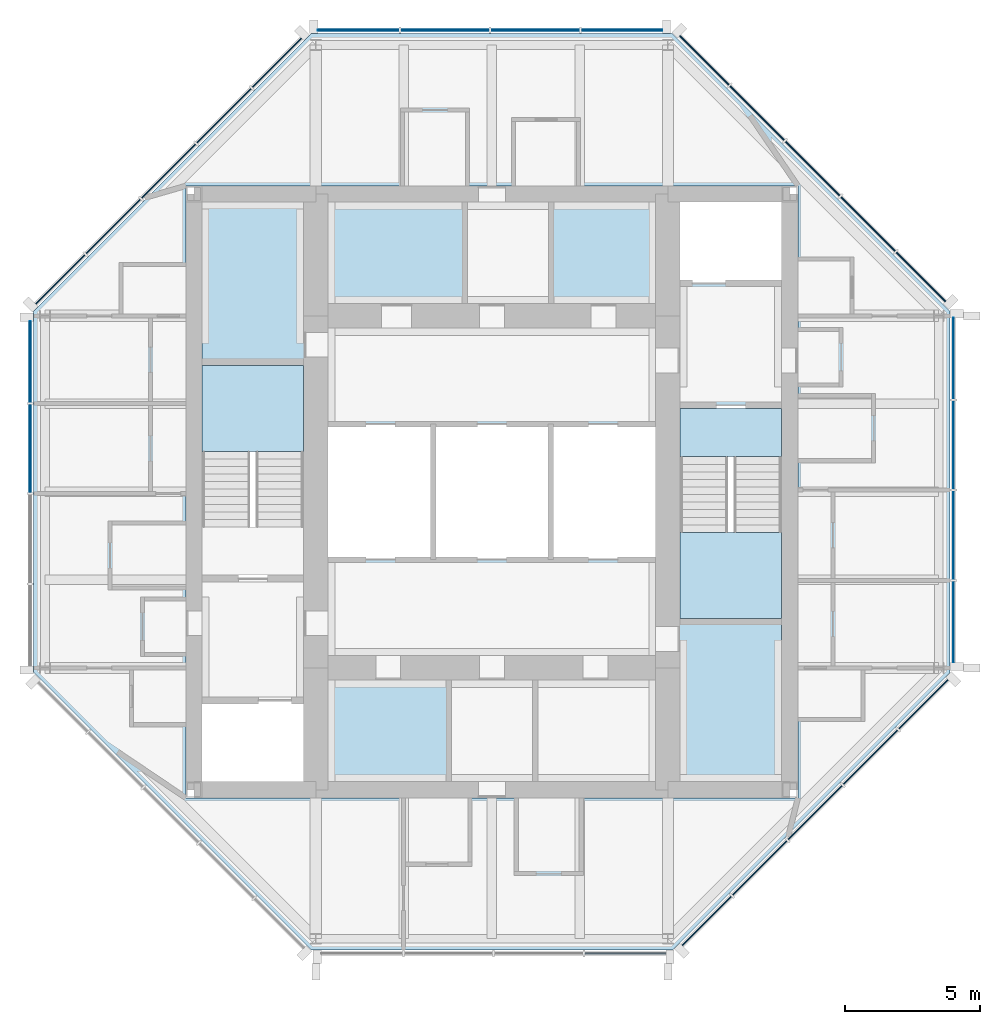
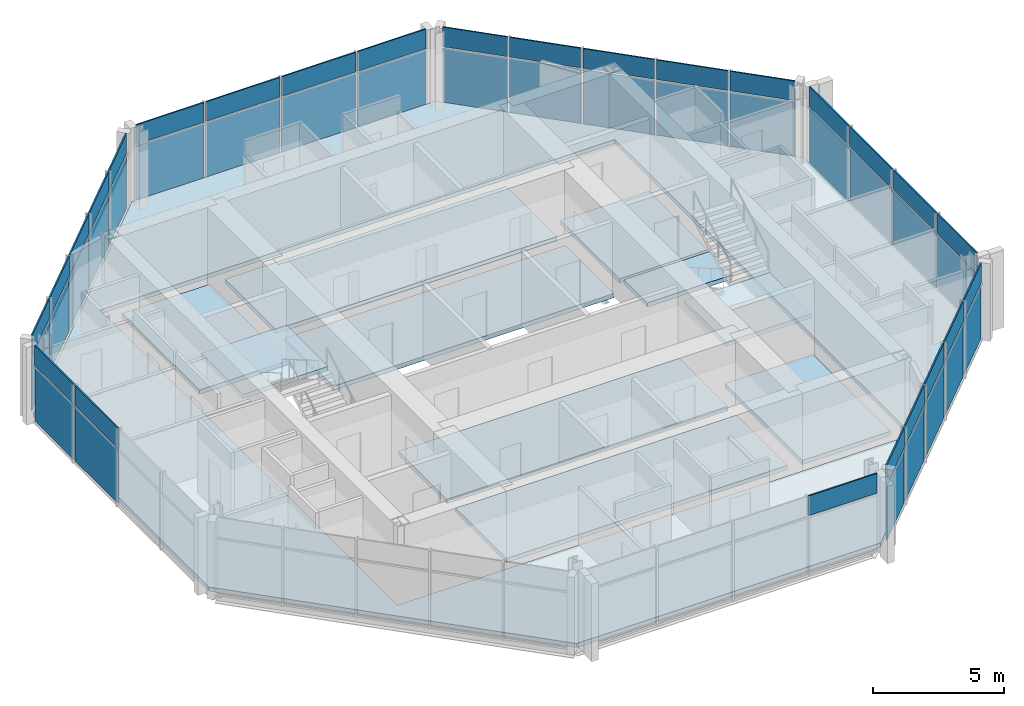
# One storey, part 4 of 9: 51 plates, 11 slabs, 9 elements without a shape of their own.
"""IFC4 building model written with IfcOpenShell, lengths in metres."""

from ifc_helpers import new_model, si_unit, direction, frame, origin, origin_2d, place, context, subcontext, project, spatial, polyline, rectangle, outline, extrude, material, layer, layer_set, type_object, element, aggregate, save


model = new_model("IFC4")

# Units and contexts
model_context = context("Model", 3, precision=1e-05, world=origin(), true_north=direction((0.0, 1.0)))
body_context = subcontext(model_context, "Body", "Model", "MODEL_VIEW")
ifc_project = project(units=[si_unit("LENGTHUNIT", "METRE"), si_unit("AREAUNIT", "SQUARE_METRE"), si_unit("VOLUMEUNIT", "CUBIC_METRE"), si_unit("PLANEANGLEUNIT", "RADIAN"), si_unit("MASSUNIT", "GRAM", prefix="KILO")], contexts=[model_context])

# Site, building, storey
site_placement = place(None, origin())
site = spatial("IfcSite", under=ifc_project, at=site_placement, CompositionType="ELEMENT")
building_placement = place(site_placement, origin())
building = spatial("IfcBuilding", under=site, at=building_placement, Name="Trevanion Tower", CompositionType="ELEMENT")
storey_placement = place(building_placement, frame((0.0, 0.0, 292.0)))
storey = spatial("IfcBuildingStorey", under=building, at=storey_placement, Name="L72", CompositionType="ELEMENT", Elevation=292.0)

# Curtain wall, plates
ifc_material_1 = material(Name="Aluminium and glass", Category="aluminium")
curtain_wall_type = type_object("IfcCurtainWallType", Name="CW4 curtain wall", PredefinedType="USERDEFINED", material=ifc_material_1)
curtain_wall_1_placement = place(storey_placement, origin())
curtain_wall_1 = element("IfcCurtainWall", 1, at=curtain_wall_1_placement, inside=storey, type_object=curtain_wall_type, Name="CW4 L72 0", ObjectType="UNITISED CURTAIN WALL", PredefinedType="USERDEFINED")
ifc_material_2 = material(Name="Aluminium spandrel panel", Category="aluminium")
ifc_layer_1 = layer(ifc_material_2, 0.06005859375)
ifc_layer_set_1 = layer_set([ifc_layer_1], Name="CW4 spandrel panel")
plate_type_1 = type_object("IfcPlateType", Name="CW4 spandrel panel", PredefinedType="CURTAIN_PANEL", material=ifc_layer_set_1)
plate_1_placement = place(storey_placement, frame((17.050048828125, -4.80078125, 2.49755859375), z_axis=(0.0, 0.0, 1.0), x_axis=(0.0, 1.0, 0.0)))
plate_1 = element("IfcPlate", 2, at=plate_1_placement, type_object=plate_type_1, Name="CW4 panel 1.2", PredefinedType="CURTAIN_PANEL", context=body_context, shape_type="SweptSolid", body=[
    extrude(rectangle(XDim=2.993896484375, YDim=0.06005859375, at=origin_2d()), origin(), (0.0, 0.0, 1.0), 0.91259765625),
])
plate_2_placement = place(storey_placement, frame((17.050048828125, -1.6005859375, 2.49755859375), z_axis=(0.0, 0.0, 1.0), x_axis=(0.0, 1.0, 0.0)))
plate_2 = element("IfcPlate", 3, at=plate_2_placement, type_object=plate_type_1, Name="CW4 panel 2.2", PredefinedType="CURTAIN_PANEL", context=body_context, shape_type="SweptSolid", body=[
    extrude(rectangle(XDim=3.25634765625, YDim=0.06005859375, at=origin_2d()), origin(), (0.0, 0.0, 1.0), 0.91259765625),
])
plate_3_placement = place(storey_placement, frame((17.050048828125, 1.730712890625, 2.49755859375), z_axis=(0.0, 0.0, 1.0), x_axis=(0.0, 1.0, 0.0)))
plate_3 = element("IfcPlate", 4, at=plate_3_placement, type_object=plate_type_1, Name="CW4 panel 3.2", PredefinedType="CURTAIN_PANEL", context=body_context, shape_type="SweptSolid", body=[
    extrude(rectangle(XDim=3.25634765625, YDim=0.06005859375, at=origin_2d()), origin(), (0.0, 0.0, 1.0), 0.91259765625),
])
plate_4_placement = place(storey_placement, frame((17.050048828125, 4.930908203125, 2.49755859375), z_axis=(0.0, 0.0, 1.0), x_axis=(0.0, 1.0, 0.0)))
plate_4 = element("IfcPlate", 5, at=plate_4_placement, type_object=plate_type_1, Name="CW4 panel 4.2", PredefinedType="CURTAIN_PANEL", context=body_context, shape_type="SweptSolid", body=[
    extrude(rectangle(XDim=2.993896484375, YDim=0.06005859375, at=origin_2d()), origin(), (0.0, 0.0, 1.0), 0.91259765625),
])

curtain_wall_2_placement = place(storey_placement, origin())
curtain_wall_2 = element("IfcCurtainWall", 6, at=curtain_wall_2_placement, inside=storey, type_object=curtain_wall_type, Name="CW4 L72 1", ObjectType="UNITISED CURTAIN WALL", PredefinedType="USERDEFINED")
plate_5_placement = place(storey_placement, frame((15.84228515625, 7.935546875, 2.49755859375), z_axis=(0.0, 0.0, 1.0), x_axis=(-0.707106781187, 0.707106781187, 0.0)))
plate_5 = element("IfcPlate", 7, at=plate_5_placement, type_object=plate_type_1, Name="CW4 panel 1.2", PredefinedType="CURTAIN_PANEL", context=body_context, shape_type="SweptSolid", body=[
    extrude(rectangle(XDim=2.55615234375, YDim=0.06005859375, at=origin_2d()), origin(), (0.0, 0.0, 1.0), 0.91259765625),
])
plate_6_placement = place(storey_placement, frame((13.888916015625, 9.888916015625, 2.49755859375), z_axis=(0.0, 0.0, 1.0), x_axis=(-0.707106781187, 0.707106781187, 0.0)))
plate_6 = element("IfcPlate", 8, at=plate_6_placement, type_object=plate_type_1, Name="CW4 panel 2.2", PredefinedType="CURTAIN_PANEL", context=body_context, shape_type="SweptSolid", body=[
    extrude(rectangle(XDim=2.818603515625, YDim=0.06005859375, at=origin_2d()), origin(), (0.0, 0.0, 1.0), 0.91259765625),
])
plate_7_placement = place(storey_placement, frame((11.843017578125, 11.934814453125, 2.49755859375), z_axis=(0.0, 0.0, 1.0), x_axis=(-0.707106781187, 0.707106781187, 0.0)))
plate_7 = element("IfcPlate", 9, at=plate_7_placement, type_object=plate_type_1, Name="CW4 panel 3.2", PredefinedType="CURTAIN_PANEL", context=body_context, shape_type="SweptSolid", body=[
    extrude(rectangle(XDim=2.818603515625, YDim=0.06005859375, at=origin_2d()), origin(), (0.0, 0.0, 1.0), 0.91259765625),
])
plate_8_placement = place(storey_placement, frame((9.796875, 13.98095703125, 2.49755859375), z_axis=(0.0, 0.0, 1.0), x_axis=(-0.707106781187, 0.707106781187, 0.0)))
plate_8 = element("IfcPlate", 10, at=plate_8_placement, type_object=plate_type_1, Name="CW4 panel 4.2", PredefinedType="CURTAIN_PANEL", context=body_context, shape_type="SweptSolid", body=[
    extrude(rectangle(XDim=2.818603515625, YDim=0.06005859375, at=origin_2d()), origin(), (0.0, 0.0, 1.0), 0.91259765625),
])
plate_9_placement = place(storey_placement, frame((7.84375, 15.93408203125, 2.49755859375), z_axis=(0.0, 0.0, 1.0), x_axis=(-0.707106781187, 0.707106781187, 0.0)))
plate_9 = element("IfcPlate", 11, at=plate_9_placement, type_object=plate_type_1, Name="CW4 panel 5.2", PredefinedType="CURTAIN_PANEL", context=body_context, shape_type="SweptSolid", body=[
    extrude(rectangle(XDim=2.55615234375, YDim=0.06005859375, at=origin_2d()), origin(), (0.0, 0.0, 1.0), 0.91259765625),
])

curtain_wall_3_placement = place(storey_placement, origin())
curtain_wall_3 = element("IfcCurtainWall", 12, at=curtain_wall_3_placement, inside=storey, type_object=curtain_wall_type, Name="CW4 L72 2", ObjectType="UNITISED CURTAIN WALL", PredefinedType="USERDEFINED")
plate_10_placement = place(storey_placement, frame((4.80078125, 17.050048828125, 2.49755859375), z_axis=(0.0, 0.0, 1.0), x_axis=(-1.0, 0.0, 0.0)))
plate_10 = element("IfcPlate", 13, at=plate_10_placement, type_object=plate_type_1, Name="CW4 panel 1.2", PredefinedType="CURTAIN_PANEL", context=body_context, shape_type="SweptSolid", body=[
    extrude(rectangle(XDim=2.993896484375, YDim=0.06005859375, at=origin_2d()), origin(), (0.0, 0.0, 1.0), 0.91259765625),
])
plate_11_placement = place(storey_placement, frame((1.6005859375, 17.050048828125, 2.49755859375), z_axis=(0.0, 0.0, 1.0), x_axis=(-1.0, 0.0, 0.0)))
plate_11 = element("IfcPlate", 14, at=plate_11_placement, type_object=plate_type_1, Name="CW4 panel 2.2", PredefinedType="CURTAIN_PANEL", context=body_context, shape_type="SweptSolid", body=[
    extrude(rectangle(XDim=3.25634765625, YDim=0.06005859375, at=origin_2d()), origin(), (0.0, 0.0, 1.0), 0.91259765625),
])
plate_12_placement = place(storey_placement, frame((-1.730712890625, 17.050048828125, 2.49755859375), z_axis=(0.0, 0.0, 1.0), x_axis=(-1.0, 0.0, 0.0)))
plate_12 = element("IfcPlate", 15, at=plate_12_placement, type_object=plate_type_1, Name="CW4 panel 3.2", PredefinedType="CURTAIN_PANEL", context=body_context, shape_type="SweptSolid", body=[
    extrude(rectangle(XDim=3.25634765625, YDim=0.06005859375, at=origin_2d()), origin(), (0.0, 0.0, 1.0), 0.91259765625),
])
plate_13_placement = place(storey_placement, frame((-4.930908203125, 17.050048828125, 2.49755859375), z_axis=(0.0, 0.0, 1.0), x_axis=(-1.0, 0.0, 0.0)))
plate_13 = element("IfcPlate", 16, at=plate_13_placement, type_object=plate_type_1, Name="CW4 panel 4.2", PredefinedType="CURTAIN_PANEL", context=body_context, shape_type="SweptSolid", body=[
    extrude(rectangle(XDim=2.993896484375, YDim=0.06005859375, at=origin_2d()), origin(), (0.0, 0.0, 1.0), 0.91259765625),
])

curtain_wall_4_placement = place(storey_placement, origin())
curtain_wall_4 = element("IfcCurtainWall", 17, at=curtain_wall_4_placement, inside=storey, type_object=curtain_wall_type, Name="CW4 L72 3", ObjectType="UNITISED CURTAIN WALL", PredefinedType="USERDEFINED")
plate_14_placement = place(storey_placement, frame((-7.935546875, 15.84228515625, 2.49755859375), z_axis=(0.0, 0.0, 1.0), x_axis=(-0.707106781187, -0.707106781187, 0.0)))
plate_14 = element("IfcPlate", 18, at=plate_14_placement, type_object=plate_type_1, Name="CW4 panel 1.2", PredefinedType="CURTAIN_PANEL", context=body_context, shape_type="SweptSolid", body=[
    extrude(rectangle(XDim=2.55615234375, YDim=0.06005859375, at=origin_2d()), origin(), (0.0, 0.0, 1.0), 0.91259765625),
])
plate_15_placement = place(storey_placement, frame((-9.888916015625, 13.888916015625, 2.49755859375), z_axis=(0.0, 0.0, 1.0), x_axis=(-0.707106781187, -0.707106781187, 0.0)))
plate_15 = element("IfcPlate", 19, at=plate_15_placement, type_object=plate_type_1, Name="CW4 panel 2.2", PredefinedType="CURTAIN_PANEL", context=body_context, shape_type="SweptSolid", body=[
    extrude(rectangle(XDim=2.818603515625, YDim=0.06005859375, at=origin_2d()), origin(), (0.0, 0.0, 1.0), 0.91259765625),
])
plate_16_placement = place(storey_placement, frame((-11.934814453125, 11.843017578125, 2.49755859375), z_axis=(0.0, 0.0, 1.0), x_axis=(-0.707106781187, -0.707106781187, 0.0)))
plate_16 = element("IfcPlate", 20, at=plate_16_placement, type_object=plate_type_1, Name="CW4 panel 3.2", PredefinedType="CURTAIN_PANEL", context=body_context, shape_type="SweptSolid", body=[
    extrude(rectangle(XDim=2.818603515625, YDim=0.06005859375, at=origin_2d()), origin(), (0.0, 0.0, 1.0), 0.91259765625),
])
plate_17_placement = place(storey_placement, frame((-13.98095703125, 9.796875, 2.49755859375), z_axis=(0.0, 0.0, 1.0), x_axis=(-0.707106781187, -0.707106781187, 0.0)))
plate_17 = element("IfcPlate", 21, at=plate_17_placement, type_object=plate_type_1, Name="CW4 panel 4.2", PredefinedType="CURTAIN_PANEL", context=body_context, shape_type="SweptSolid", body=[
    extrude(rectangle(XDim=2.818603515625, YDim=0.06005859375, at=origin_2d()), origin(), (0.0, 0.0, 1.0), 0.91259765625),
])
plate_18_placement = place(storey_placement, frame((-15.93408203125, 7.84375, 2.49755859375), z_axis=(0.0, 0.0, 1.0), x_axis=(-0.707106781187, -0.707106781187, 0.0)))
plate_18 = element("IfcPlate", 22, at=plate_18_placement, type_object=plate_type_1, Name="CW4 panel 5.2", PredefinedType="CURTAIN_PANEL", context=body_context, shape_type="SweptSolid", body=[
    extrude(rectangle(XDim=2.55615234375, YDim=0.06005859375, at=origin_2d()), origin(), (0.0, 0.0, 1.0), 0.91259765625),
])

curtain_wall_5_placement = place(storey_placement, origin())
curtain_wall_5 = element("IfcCurtainWall", 23, at=curtain_wall_5_placement, inside=storey, type_object=curtain_wall_type, Name="CW4 L72 4", ObjectType="UNITISED CURTAIN WALL", PredefinedType="USERDEFINED")
plate_19_placement = place(storey_placement, frame((-17.050048828125, 4.80078125, 2.49755859375), z_axis=(0.0, 0.0, 1.0), x_axis=(0.0, -1.0, 0.0)))
plate_19 = element("IfcPlate", 24, at=plate_19_placement, type_object=plate_type_1, Name="CW4 panel 1.2", PredefinedType="CURTAIN_PANEL", context=body_context, shape_type="SweptSolid", body=[
    extrude(rectangle(XDim=2.993896484375, YDim=0.06005859375, at=origin_2d()), origin(), (0.0, 0.0, 1.0), 0.91259765625),
])
plate_20_placement = place(storey_placement, frame((-17.050048828125, 1.6005859375, 2.49755859375), z_axis=(0.0, 0.0, 1.0), x_axis=(0.0, -1.0, 0.0)))
plate_20 = element("IfcPlate", 25, at=plate_20_placement, type_object=plate_type_1, Name="CW4 panel 2.2", PredefinedType="CURTAIN_PANEL", context=body_context, shape_type="SweptSolid", body=[
    extrude(rectangle(XDim=3.25634765625, YDim=0.06005859375, at=origin_2d()), origin(), (0.0, 0.0, 1.0), 0.91259765625),
])

# Curtain wall, plate
curtain_wall_6_placement = place(storey_placement, origin())
curtain_wall_6 = element("IfcCurtainWall", 26, at=curtain_wall_6_placement, inside=storey, type_object=curtain_wall_type, Name="CW4 L72 6", ObjectType="UNITISED CURTAIN WALL", PredefinedType="USERDEFINED")
plate_21_placement = place(storey_placement, frame((4.930908203125, -17.050048828125, 2.49755859375), z_axis=(0.0, 0.0, 1.0), x_axis=(1.0, 0.0, 0.0)))
plate_21 = element("IfcPlate", 27, at=plate_21_placement, type_object=plate_type_1, Name="CW4 panel 4.2", PredefinedType="CURTAIN_PANEL", context=body_context, shape_type="SweptSolid", body=[
    extrude(rectangle(XDim=2.993896484375, YDim=0.06005859375, at=origin_2d()), origin(), (0.0, 0.0, 1.0), 0.91259765625),
])
aggregate(curtain_wall_6, [plate_21])

# Curtain wall, plates
curtain_wall_7_placement = place(storey_placement, origin())
curtain_wall_7 = element("IfcCurtainWall", 28, at=curtain_wall_7_placement, inside=storey, type_object=curtain_wall_type, Name="CW4 L72 7", ObjectType="UNITISED CURTAIN WALL", PredefinedType="USERDEFINED")
plate_22_placement = place(storey_placement, frame((7.935546875, -15.84228515625, 2.49755859375), z_axis=(0.0, 0.0, 1.0), x_axis=(0.707106781187, 0.707106781187, 0.0)))
plate_22 = element("IfcPlate", 29, at=plate_22_placement, type_object=plate_type_1, Name="CW4 panel 1.2", PredefinedType="CURTAIN_PANEL", context=body_context, shape_type="SweptSolid", body=[
    extrude(rectangle(XDim=2.55615234375, YDim=0.06005859375, at=origin_2d()), origin(), (0.0, 0.0, 1.0), 0.91259765625),
])
plate_23_placement = place(storey_placement, frame((9.888916015625, -13.888916015625, 2.49755859375), z_axis=(0.0, 0.0, 1.0), x_axis=(0.707106781187, 0.707106781187, 0.0)))
plate_23 = element("IfcPlate", 30, at=plate_23_placement, type_object=plate_type_1, Name="CW4 panel 2.2", PredefinedType="CURTAIN_PANEL", context=body_context, shape_type="SweptSolid", body=[
    extrude(rectangle(XDim=2.818603515625, YDim=0.06005859375, at=origin_2d()), origin(), (0.0, 0.0, 1.0), 0.91259765625),
])
plate_24_placement = place(storey_placement, frame((11.934814453125, -11.843017578125, 2.49755859375), z_axis=(0.0, 0.0, 1.0), x_axis=(0.707106781187, 0.707106781187, 0.0)))
plate_24 = element("IfcPlate", 31, at=plate_24_placement, type_object=plate_type_1, Name="CW4 panel 3.2", PredefinedType="CURTAIN_PANEL", context=body_context, shape_type="SweptSolid", body=[
    extrude(rectangle(XDim=2.818603515625, YDim=0.06005859375, at=origin_2d()), origin(), (0.0, 0.0, 1.0), 0.91259765625),
])
plate_25_placement = place(storey_placement, frame((13.98095703125, -9.796875, 2.49755859375), z_axis=(0.0, 0.0, 1.0), x_axis=(0.707106781187, 0.707106781187, 0.0)))
plate_25 = element("IfcPlate", 32, at=plate_25_placement, type_object=plate_type_1, Name="CW4 panel 4.2", PredefinedType="CURTAIN_PANEL", context=body_context, shape_type="SweptSolid", body=[
    extrude(rectangle(XDim=2.818603515625, YDim=0.06005859375, at=origin_2d()), origin(), (0.0, 0.0, 1.0), 0.91259765625),
])
plate_26_placement = place(storey_placement, frame((15.93408203125, -7.84375, 2.49755859375), z_axis=(0.0, 0.0, 1.0), x_axis=(0.707106781187, 0.707106781187, 0.0)))
plate_26 = element("IfcPlate", 33, at=plate_26_placement, type_object=plate_type_1, Name="CW4 panel 5.2", PredefinedType="CURTAIN_PANEL", context=body_context, shape_type="SweptSolid", body=[
    extrude(rectangle(XDim=2.55615234375, YDim=0.06005859375, at=origin_2d()), origin(), (0.0, 0.0, 1.0), 0.91259765625),
])

# Plate
ifc_material_3 = material(Name="Insulating glass unit", Category="glass")
ifc_layer_2 = layer(ifc_material_3, 0.028076171875)
ifc_layer_set_2 = layer_set([ifc_layer_2], Name="CW4 vision panel")
plate_type_2 = type_object("IfcPlateType", Name="CW4 vision panel", PredefinedType="CURTAIN_PANEL", material=ifc_layer_set_2)
plate_27_placement = place(storey_placement, frame((17.050048828125, -4.80078125, -0.114990234375), z_axis=(0.0, 0.0, 1.0), x_axis=(0.0, 1.0, 0.0)))
plate_27 = element("IfcPlate", 34, at=plate_27_placement, type_object=plate_type_2, Name="CW4 panel 1.1", PredefinedType="CURTAIN_PANEL", context=body_context, shape_type="SweptSolid", body=[
    extrude(rectangle(XDim=2.993896484375, YDim=0.028076171875, at=origin_2d()), origin(), (0.0, 0.0, 1.0), 2.53759765625),
])

plate_28_placement = place(storey_placement, frame((17.050048828125, -1.6005859375, -0.114990234375), z_axis=(0.0, 0.0, 1.0), x_axis=(0.0, 1.0, 0.0)))
plate_28 = element("IfcPlate", 35, at=plate_28_placement, type_object=plate_type_2, Name="CW4 panel 2.1", PredefinedType="CURTAIN_PANEL", context=body_context, shape_type="SweptSolid", body=[
    extrude(rectangle(XDim=3.25634765625, YDim=0.028076171875, at=origin_2d()), origin(), (0.0, 0.0, 1.0), 2.53759765625),
])

plate_29_placement = place(storey_placement, frame((17.050048828125, 1.730712890625, -0.114990234375), z_axis=(0.0, 0.0, 1.0), x_axis=(0.0, 1.0, 0.0)))
plate_29 = element("IfcPlate", 36, at=plate_29_placement, type_object=plate_type_2, Name="CW4 panel 3.1", PredefinedType="CURTAIN_PANEL", context=body_context, shape_type="SweptSolid", body=[
    extrude(rectangle(XDim=3.25634765625, YDim=0.028076171875, at=origin_2d()), origin(), (0.0, 0.0, 1.0), 2.53759765625),
])

plate_30_placement = place(storey_placement, frame((17.050048828125, 4.930908203125, -0.114990234375), z_axis=(0.0, 0.0, 1.0), x_axis=(0.0, 1.0, 0.0)))
plate_30 = element("IfcPlate", 37, at=plate_30_placement, type_object=plate_type_2, Name="CW4 panel 4.1", PredefinedType="CURTAIN_PANEL", context=body_context, shape_type="SweptSolid", body=[
    extrude(rectangle(XDim=2.993896484375, YDim=0.028076171875, at=origin_2d()), origin(), (0.0, 0.0, 1.0), 2.53759765625),
])

aggregate(curtain_wall_1, [plate_27, plate_1, plate_28, plate_2, plate_29, plate_3, plate_30, plate_4])

plate_31_placement = place(storey_placement, frame((15.84228515625, 7.935546875, -0.114990234375), z_axis=(0.0, 0.0, 1.0), x_axis=(-0.707106781187, 0.707106781187, 0.0)))
plate_31 = element("IfcPlate", 38, at=plate_31_placement, type_object=plate_type_2, Name="CW4 panel 1.1", PredefinedType="CURTAIN_PANEL", context=body_context, shape_type="SweptSolid", body=[
    extrude(rectangle(XDim=2.55615234375, YDim=0.028076171875, at=origin_2d()), origin(), (0.0, 0.0, 1.0), 2.53759765625),
])

plate_32_placement = place(storey_placement, frame((13.888916015625, 9.888916015625, -0.114990234375), z_axis=(0.0, 0.0, 1.0), x_axis=(-0.707106781187, 0.707106781187, 0.0)))
plate_32 = element("IfcPlate", 39, at=plate_32_placement, type_object=plate_type_2, Name="CW4 panel 2.1", PredefinedType="CURTAIN_PANEL", context=body_context, shape_type="SweptSolid", body=[
    extrude(rectangle(XDim=2.818603515625, YDim=0.028076171875, at=origin_2d()), origin(), (0.0, 0.0, 1.0), 2.53759765625),
])

plate_33_placement = place(storey_placement, frame((11.843017578125, 11.934814453125, -0.114990234375), z_axis=(0.0, 0.0, 1.0), x_axis=(-0.707106781187, 0.707106781187, 0.0)))
plate_33 = element("IfcPlate", 40, at=plate_33_placement, type_object=plate_type_2, Name="CW4 panel 3.1", PredefinedType="CURTAIN_PANEL", context=body_context, shape_type="SweptSolid", body=[
    extrude(rectangle(XDim=2.818603515625, YDim=0.028076171875, at=origin_2d()), origin(), (0.0, 0.0, 1.0), 2.53759765625),
])

plate_34_placement = place(storey_placement, frame((9.796875, 13.98095703125, -0.114990234375), z_axis=(0.0, 0.0, 1.0), x_axis=(-0.707106781187, 0.707106781187, 0.0)))
plate_34 = element("IfcPlate", 41, at=plate_34_placement, type_object=plate_type_2, Name="CW4 panel 4.1", PredefinedType="CURTAIN_PANEL", context=body_context, shape_type="SweptSolid", body=[
    extrude(rectangle(XDim=2.818603515625, YDim=0.028076171875, at=origin_2d()), origin(), (0.0, 0.0, 1.0), 2.53759765625),
])

plate_35_placement = place(storey_placement, frame((7.84375, 15.93408203125, -0.114990234375), z_axis=(0.0, 0.0, 1.0), x_axis=(-0.707106781187, 0.707106781187, 0.0)))
plate_35 = element("IfcPlate", 42, at=plate_35_placement, type_object=plate_type_2, Name="CW4 panel 5.1", PredefinedType="CURTAIN_PANEL", context=body_context, shape_type="SweptSolid", body=[
    extrude(rectangle(XDim=2.55615234375, YDim=0.028076171875, at=origin_2d()), origin(), (0.0, 0.0, 1.0), 2.53759765625),
])

aggregate(curtain_wall_2, [plate_31, plate_5, plate_32, plate_6, plate_33, plate_7, plate_34, plate_8, plate_35, plate_9])

plate_36_placement = place(storey_placement, frame((4.80078125, 17.050048828125, -0.114990234375), z_axis=(0.0, 0.0, 1.0), x_axis=(-1.0, 0.0, 0.0)))
plate_36 = element("IfcPlate", 43, at=plate_36_placement, type_object=plate_type_2, Name="CW4 panel 1.1", PredefinedType="CURTAIN_PANEL", context=body_context, shape_type="SweptSolid", body=[
    extrude(rectangle(XDim=2.993896484375, YDim=0.028076171875, at=origin_2d()), origin(), (0.0, 0.0, 1.0), 2.53759765625),
])

plate_37_placement = place(storey_placement, frame((1.6005859375, 17.050048828125, -0.114990234375), z_axis=(0.0, 0.0, 1.0), x_axis=(-1.0, 0.0, 0.0)))
plate_37 = element("IfcPlate", 44, at=plate_37_placement, type_object=plate_type_2, Name="CW4 panel 2.1", PredefinedType="CURTAIN_PANEL", context=body_context, shape_type="SweptSolid", body=[
    extrude(rectangle(XDim=3.25634765625, YDim=0.028076171875, at=origin_2d()), origin(), (0.0, 0.0, 1.0), 2.53759765625),
])

plate_38_placement = place(storey_placement, frame((-1.730712890625, 17.050048828125, -0.114990234375), z_axis=(0.0, 0.0, 1.0), x_axis=(-1.0, 0.0, 0.0)))
plate_38 = element("IfcPlate", 45, at=plate_38_placement, type_object=plate_type_2, Name="CW4 panel 3.1", PredefinedType="CURTAIN_PANEL", context=body_context, shape_type="SweptSolid", body=[
    extrude(rectangle(XDim=3.25634765625, YDim=0.028076171875, at=origin_2d()), origin(), (0.0, 0.0, 1.0), 2.53759765625),
])

plate_39_placement = place(storey_placement, frame((-4.930908203125, 17.050048828125, -0.114990234375), z_axis=(0.0, 0.0, 1.0), x_axis=(-1.0, 0.0, 0.0)))
plate_39 = element("IfcPlate", 46, at=plate_39_placement, type_object=plate_type_2, Name="CW4 panel 4.1", PredefinedType="CURTAIN_PANEL", context=body_context, shape_type="SweptSolid", body=[
    extrude(rectangle(XDim=2.993896484375, YDim=0.028076171875, at=origin_2d()), origin(), (0.0, 0.0, 1.0), 2.53759765625),
])

aggregate(curtain_wall_3, [plate_36, plate_10, plate_37, plate_11, plate_38, plate_12, plate_39, plate_13])

plate_40_placement = place(storey_placement, frame((-7.935546875, 15.84228515625, -0.114990234375), z_axis=(0.0, 0.0, 1.0), x_axis=(-0.707106781187, -0.707106781187, 0.0)))
plate_40 = element("IfcPlate", 47, at=plate_40_placement, type_object=plate_type_2, Name="CW4 panel 1.1", PredefinedType="CURTAIN_PANEL", context=body_context, shape_type="SweptSolid", body=[
    extrude(rectangle(XDim=2.55615234375, YDim=0.028076171875, at=origin_2d()), origin(), (0.0, 0.0, 1.0), 2.53759765625),
])

plate_41_placement = place(storey_placement, frame((-9.888916015625, 13.888916015625, -0.114990234375), z_axis=(0.0, 0.0, 1.0), x_axis=(-0.707106781187, -0.707106781187, 0.0)))
plate_41 = element("IfcPlate", 48, at=plate_41_placement, type_object=plate_type_2, Name="CW4 panel 2.1", PredefinedType="CURTAIN_PANEL", context=body_context, shape_type="SweptSolid", body=[
    extrude(rectangle(XDim=2.818603515625, YDim=0.028076171875, at=origin_2d()), origin(), (0.0, 0.0, 1.0), 2.53759765625),
])

plate_42_placement = place(storey_placement, frame((-11.934814453125, 11.843017578125, -0.114990234375), z_axis=(0.0, 0.0, 1.0), x_axis=(-0.707106781187, -0.707106781187, 0.0)))
plate_42 = element("IfcPlate", 49, at=plate_42_placement, type_object=plate_type_2, Name="CW4 panel 3.1", PredefinedType="CURTAIN_PANEL", context=body_context, shape_type="SweptSolid", body=[
    extrude(rectangle(XDim=2.818603515625, YDim=0.028076171875, at=origin_2d()), origin(), (0.0, 0.0, 1.0), 2.53759765625),
])

plate_43_placement = place(storey_placement, frame((-13.98095703125, 9.796875, -0.114990234375), z_axis=(0.0, 0.0, 1.0), x_axis=(-0.707106781187, -0.707106781187, 0.0)))
plate_43 = element("IfcPlate", 50, at=plate_43_placement, type_object=plate_type_2, Name="CW4 panel 4.1", PredefinedType="CURTAIN_PANEL", context=body_context, shape_type="SweptSolid", body=[
    extrude(rectangle(XDim=2.818603515625, YDim=0.028076171875, at=origin_2d()), origin(), (0.0, 0.0, 1.0), 2.53759765625),
])

plate_44_placement = place(storey_placement, frame((-15.93408203125, 7.84375, -0.114990234375), z_axis=(0.0, 0.0, 1.0), x_axis=(-0.707106781187, -0.707106781187, 0.0)))
plate_44 = element("IfcPlate", 51, at=plate_44_placement, type_object=plate_type_2, Name="CW4 panel 5.1", PredefinedType="CURTAIN_PANEL", context=body_context, shape_type="SweptSolid", body=[
    extrude(rectangle(XDim=2.55615234375, YDim=0.028076171875, at=origin_2d()), origin(), (0.0, 0.0, 1.0), 2.53759765625),
])

aggregate(curtain_wall_4, [plate_40, plate_14, plate_41, plate_15, plate_42, plate_16, plate_43, plate_17, plate_44, plate_18])

plate_45_placement = place(storey_placement, frame((-17.050048828125, 4.80078125, -0.114990234375), z_axis=(0.0, 0.0, 1.0), x_axis=(0.0, -1.0, 0.0)))
plate_45 = element("IfcPlate", 52, at=plate_45_placement, type_object=plate_type_2, Name="CW4 panel 1.1", PredefinedType="CURTAIN_PANEL", context=body_context, shape_type="SweptSolid", body=[
    extrude(rectangle(XDim=2.993896484375, YDim=0.028076171875, at=origin_2d()), origin(), (0.0, 0.0, 1.0), 2.53759765625),
])

plate_46_placement = place(storey_placement, frame((-17.050048828125, 1.6005859375, -0.114990234375), z_axis=(0.0, 0.0, 1.0), x_axis=(0.0, -1.0, 0.0)))
plate_46 = element("IfcPlate", 53, at=plate_46_placement, type_object=plate_type_2, Name="CW4 panel 2.1", PredefinedType="CURTAIN_PANEL", context=body_context, shape_type="SweptSolid", body=[
    extrude(rectangle(XDim=3.25634765625, YDim=0.028076171875, at=origin_2d()), origin(), (0.0, 0.0, 1.0), 2.53759765625),
])

aggregate(curtain_wall_5, [plate_45, plate_19, plate_46, plate_20])

plate_47_placement = place(storey_placement, frame((7.935546875, -15.84228515625, -0.114990234375), z_axis=(0.0, 0.0, 1.0), x_axis=(0.707106781187, 0.707106781187, 0.0)))
plate_47 = element("IfcPlate", 54, at=plate_47_placement, type_object=plate_type_2, Name="CW4 panel 1.1", PredefinedType="CURTAIN_PANEL", context=body_context, shape_type="SweptSolid", body=[
    extrude(rectangle(XDim=2.55615234375, YDim=0.028076171875, at=origin_2d()), origin(), (0.0, 0.0, 1.0), 2.53759765625),
])

plate_48_placement = place(storey_placement, frame((9.888916015625, -13.888916015625, -0.114990234375), z_axis=(0.0, 0.0, 1.0), x_axis=(0.707106781187, 0.707106781187, 0.0)))
plate_48 = element("IfcPlate", 55, at=plate_48_placement, type_object=plate_type_2, Name="CW4 panel 2.1", PredefinedType="CURTAIN_PANEL", context=body_context, shape_type="SweptSolid", body=[
    extrude(rectangle(XDim=2.818603515625, YDim=0.028076171875, at=origin_2d()), origin(), (0.0, 0.0, 1.0), 2.53759765625),
])

plate_49_placement = place(storey_placement, frame((11.934814453125, -11.843017578125, -0.114990234375), z_axis=(0.0, 0.0, 1.0), x_axis=(0.707106781187, 0.707106781187, 0.0)))
plate_49 = element("IfcPlate", 56, at=plate_49_placement, type_object=plate_type_2, Name="CW4 panel 3.1", PredefinedType="CURTAIN_PANEL", context=body_context, shape_type="SweptSolid", body=[
    extrude(rectangle(XDim=2.818603515625, YDim=0.028076171875, at=origin_2d()), origin(), (0.0, 0.0, 1.0), 2.53759765625),
])

plate_50_placement = place(storey_placement, frame((13.98095703125, -9.796875, -0.114990234375), z_axis=(0.0, 0.0, 1.0), x_axis=(0.707106781187, 0.707106781187, 0.0)))
plate_50 = element("IfcPlate", 57, at=plate_50_placement, type_object=plate_type_2, Name="CW4 panel 4.1", PredefinedType="CURTAIN_PANEL", context=body_context, shape_type="SweptSolid", body=[
    extrude(rectangle(XDim=2.818603515625, YDim=0.028076171875, at=origin_2d()), origin(), (0.0, 0.0, 1.0), 2.53759765625),
])

plate_51_placement = place(storey_placement, frame((15.93408203125, -7.84375, -0.114990234375), z_axis=(0.0, 0.0, 1.0), x_axis=(0.707106781187, 0.707106781187, 0.0)))
plate_51 = element("IfcPlate", 58, at=plate_51_placement, type_object=plate_type_2, Name="CW4 panel 5.1", PredefinedType="CURTAIN_PANEL", context=body_context, shape_type="SweptSolid", body=[
    extrude(rectangle(XDim=2.55615234375, YDim=0.028076171875, at=origin_2d()), origin(), (0.0, 0.0, 1.0), 2.53759765625),
])

aggregate(curtain_wall_7, [plate_47, plate_22, plate_48, plate_23, plate_49, plate_24, plate_50, plate_25, plate_51, plate_26])

# Slabs
ifc_material_4 = material(Name="Concrete 5,000 psi on composite metal deck", Category="concrete")
ifc_layer_3 = layer(ifc_material_4, 0.18994140625)
ifc_layer_set_3 = layer_set([ifc_layer_3], Name="SL1 composite floor 190")
slab_type_1 = type_object("IfcSlabType", Name="SL1 composite floor 190", PredefinedType="FLOOR", material=ifc_layer_set_3)
slab_1_placement = place(storey_placement, frame((0.0, 0.0, -0.18994140625)))
element("IfcSlab", 59, at=slab_1_placement, inside=storey, type_object=slab_type_1, Name="SL1 L72 floor", PredefinedType="FLOOR", context=body_context, shape_type="SweptSolid", body=[
    extrude(outline(polyline([(16.919921875, -6.674072265625), (16.919921875, 6.674072265625), (6.674072265625, 16.919921875), (-6.674072265625, 16.919921875), (-16.919921875, 6.674072265625), (-16.919921875, -6.674072265625), (-6.674072265625, -16.919921875), (6.674072265625, -16.919921875), (16.919921875, -6.674072265625)]), holes=[polyline([(11.300048828125, -11.300048828125), (11.300048828125, 11.300048828125), (-11.300048828125, 11.300048828125), (-11.300048828125, -11.300048828125), (11.300048828125, -11.300048828125)])]), origin(), (0.0, 0.0, 1.0), 0.18994140625),
])
ifc_material_5 = material(Name="Concrete 5,000 psi", Category="concrete")
ifc_layer_4 = layer(ifc_material_5, 0.199951171875)
ifc_layer_set_4 = layer_set([ifc_layer_4], Name="SL2 core floor 200")
slab_type_2 = type_object("IfcSlabType", Name="SL2 core floor 200", PredefinedType="FLOOR", material=ifc_layer_set_4)
slab_2_placement = place(storey_placement, frame((0.0, 0.0, -0.199951171875)))
element("IfcSlab", 60, at=slab_2_placement, inside=storey, type_object=slab_type_2, Name="SL2 L72 core floor 1", PredefinedType="FLOOR", context=body_context, shape_type="SweptSolid", body=[
    extrude(outline(polyline([(6.169921875, -10.699951171875), (-6.169921875, -10.699951171875), (-6.169921875, -6.830078125), (6.169921875, -6.830078125), (6.169921875, -10.699951171875)])), origin(), (0.0, 0.0, 1.0), 0.199951171875),
])
slab_3_placement = place(storey_placement, frame((0.0, 0.0, -0.199951171875)))
element("IfcSlab", 61, at=slab_3_placement, inside=storey, type_object=slab_type_2, Name="SL2 L72 core floor 2", PredefinedType="FLOOR", context=body_context, shape_type="SweptSolid", body=[
    extrude(outline(polyline([(6.830078125, -4.804931640625), (10.699951171875, -4.804931640625), (10.699951171875, -10.699951171875), (6.830078125, -10.699951171875), (6.830078125, -4.804931640625)])), origin(), (0.0, 0.0, 1.0), 0.199951171875),
])
slab_4_placement = place(storey_placement, frame((0.0, 0.0, -0.199951171875)))
element("IfcSlab", 62, at=slab_4_placement, inside=storey, type_object=slab_type_2, Name="SL2 L72 core floor 4", PredefinedType="FLOOR", context=body_context, shape_type="SweptSolid", body=[
    extrude(outline(polyline([(6.169921875, -6.169921875), (-6.169921875, -6.169921875), (-6.169921875, -2.47998046875), (6.169921875, -2.47998046875), (6.169921875, -6.169921875)])), origin(), (0.0, 0.0, 1.0), 0.199951171875),
])
slab_5_placement = place(storey_placement, frame((0.0, 0.0, -0.199951171875)))
element("IfcSlab", 63, at=slab_5_placement, inside=storey, type_object=slab_type_2, Name="SL2 L72 core floor 5", PredefinedType="FLOOR", context=body_context, shape_type="SweptSolid", body=[
    extrude(outline(polyline([(6.169921875, 2.47998046875), (-6.169921875, 2.47998046875), (-6.169921875, 6.169921875), (6.169921875, 6.169921875), (6.169921875, 2.47998046875)])), origin(), (0.0, 0.0, 1.0), 0.199951171875),
])
slab_6_placement = place(storey_placement, frame((0.0, 0.0, -0.199951171875)))
element("IfcSlab", 64, at=slab_6_placement, inside=storey, type_object=slab_type_2, Name="SL2 L72 core floor 6", PredefinedType="FLOOR", context=body_context, shape_type="SweptSolid", body=[
    extrude(outline(polyline([(6.830078125, 3.205078125), (6.830078125, 7.695068359375), (10.699951171875, 7.695068359375), (10.699951171875, 3.205078125), (6.830078125, 3.205078125)])), origin(), (0.0, 0.0, 1.0), 0.199951171875),
])
slab_7_placement = place(storey_placement, frame((0.0, 0.0, -0.199951171875)))
element("IfcSlab", 65, at=slab_7_placement, inside=storey, type_object=slab_type_2, Name="SL2 L72 core floor 7", PredefinedType="FLOOR", context=body_context, shape_type="SweptSolid", body=[
    extrude(outline(polyline([(-6.830078125, 4.804931640625), (-10.699951171875, 4.804931640625), (-10.699951171875, 10.699951171875), (-6.830078125, 10.699951171875), (-6.830078125, 4.804931640625)])), origin(), (0.0, 0.0, 1.0), 0.199951171875),
])
slab_8_placement = place(storey_placement, frame((0.0, 0.0, -0.199951171875)))
element("IfcSlab", 66, at=slab_8_placement, inside=storey, type_object=slab_type_2, Name="SL2 L72 core floor 8", PredefinedType="FLOOR", context=body_context, shape_type="SweptSolid", body=[
    extrude(outline(polyline([(6.169921875, 6.830078125), (-6.169921875, 6.830078125), (-6.169921875, 10.699951171875), (6.169921875, 10.699951171875), (6.169921875, 6.830078125)])), origin(), (0.0, 0.0, 1.0), 0.199951171875),
])

# Stair, slabs
ifc_material_6 = material(Name="Concrete 5,000 psi on steel stringers", Category="concrete")
stair_type = type_object("IfcStairType", Name="ST stair", PredefinedType="HALF_TURN_STAIR", material=ifc_material_6)
stair_1_placement = place(storey_placement, origin())
stair_1 = element("IfcStair", 67, at=stair_1_placement, inside=storey, type_object=stair_type, Name="ST1 L72", PredefinedType="HALF_TURN_STAIR")
ifc_material_7 = material(Name="Concrete 5,000 psi in steel pan", Category="concrete")
ifc_layer_5 = layer(ifc_material_7, 0.199951171875)
ifc_layer_set_5 = layer_set([ifc_layer_5], Name="STL stair landing 200")
slab_type_3 = type_object("IfcSlabType", Name="STL stair landing 200", PredefinedType="LANDING", material=ifc_layer_set_5)
slab_9_placement = place(storey_placement, frame((0.0, 0.0, -0.199951171875)))
slab_9 = element("IfcSlab", 68, at=slab_9_placement, type_object=slab_type_3, Name="ST1 landing 1", PredefinedType="LANDING", context=body_context, shape_type="SweptSolid", body=[
    extrude(outline(polyline([(6.949951171875, 1.300048828125), (10.699951171875, 1.300048828125), (10.699951171875, 3.074951171875), (6.949951171875, 3.074951171875), (6.949951171875, 1.300048828125)])), origin(), (0.0, 0.0, 1.0), 0.199951171875),
])
slab_10_placement = place(storey_placement, frame((0.0, 0.0, 1.60009765625)))
slab_10 = element("IfcSlab", 69, at=slab_10_placement, type_object=slab_type_3, Name="ST1 landing 2", PredefinedType="LANDING", context=body_context, shape_type="SweptSolid", body=[
    extrude(outline(polyline([(6.949951171875, -4.675048828125), (10.699951171875, -4.675048828125), (10.699951171875, -1.5), (6.949951171875, -1.5), (6.949951171875, -4.675048828125)])), origin(), (0.0, 0.0, 1.0), 0.199951171875),
])
aggregate(stair_1, [slab_9, slab_10])

# Stair, slab
stair_2_placement = place(storey_placement, origin())
stair_2 = element("IfcStair", 70, at=stair_2_placement, inside=storey, type_object=stair_type, Name="ST2 L72", PredefinedType="HALF_TURN_STAIR")
slab_11_placement = place(storey_placement, frame((0.0, 0.0, 1.60009765625)))
slab_11 = element("IfcSlab", 71, at=slab_11_placement, type_object=slab_type_3, Name="ST2 landing 2", PredefinedType="LANDING", context=body_context, shape_type="SweptSolid", body=[
    extrude(outline(polyline([(-6.949951171875, 4.675048828125), (-10.699951171875, 4.675048828125), (-10.699951171875, 1.5), (-6.949951171875, 1.5), (-6.949951171875, 4.675048828125)])), origin(), (0.0, 0.0, 1.0), 0.199951171875),
])
aggregate(stair_2, [slab_11])

save(model, "model.ifc")
